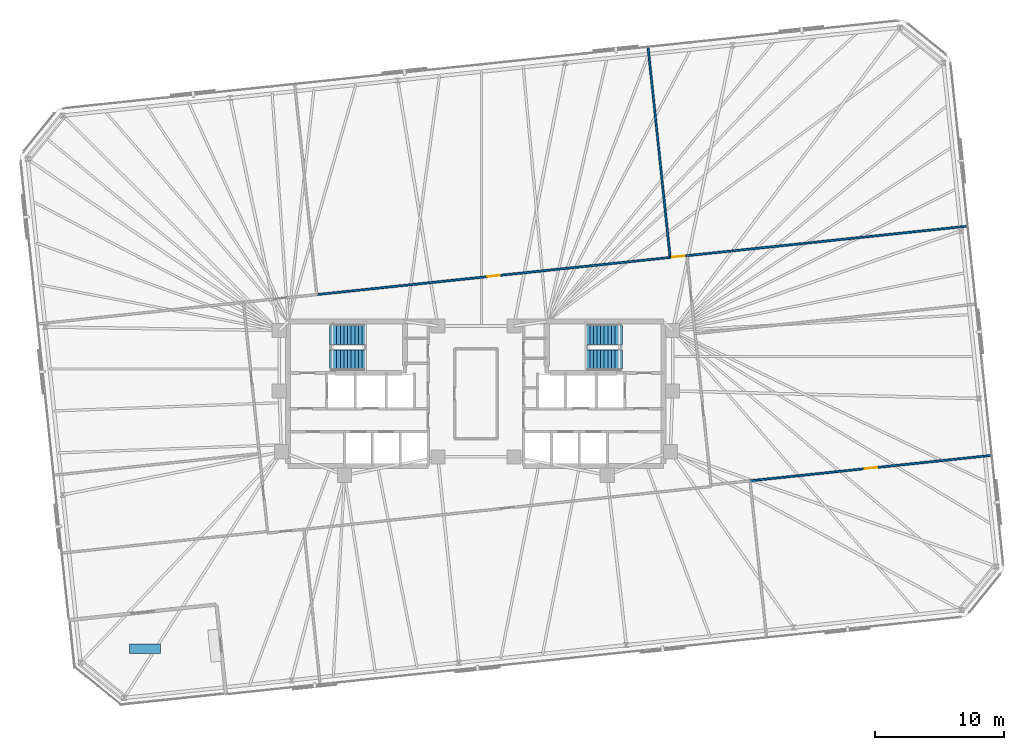
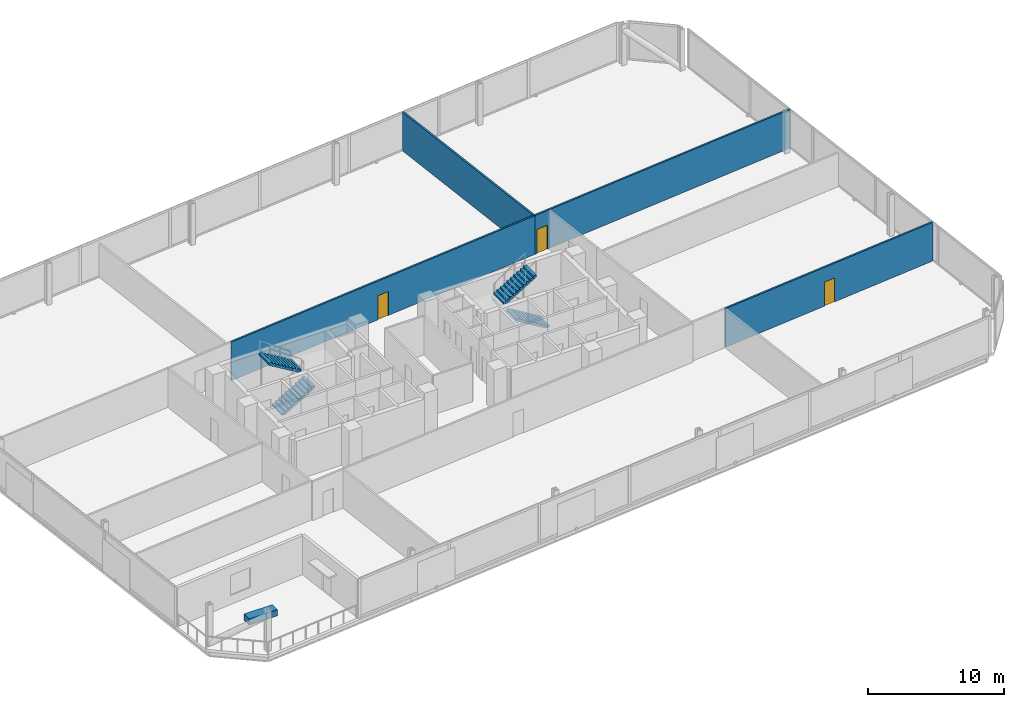
# One storey, part 16 of 18: 5 walls, 4 stair flights, 3 doors, 1 discrete accessory, 3 openings, 2 elements without a shape of their own.
"""IFC4 building model written with IfcOpenShell, lengths in metres."""

from ifc_helpers import new_model, si_unit, direction, frame, frame_2d, origin, origin_2d, place, context, subcontext, project, spatial, polyline, rectangle, outline, extrude, material, layer, layer_set, type_object, element, fill, aggregate, save


model = new_model("IFC4")

# Units and contexts
model_context = context("Model", 3, precision=1e-05, world=origin(), true_north=direction((0.0, 1.0)))
body_context = subcontext(model_context, "Body", "Model", "MODEL_VIEW")
ifc_project = project(units=[si_unit("LENGTHUNIT", "METRE"), si_unit("AREAUNIT", "SQUARE_METRE"), si_unit("VOLUMEUNIT", "CUBIC_METRE"), si_unit("PLANEANGLEUNIT", "RADIAN"), si_unit("MASSUNIT", "GRAM", prefix="KILO")], contexts=[model_context])

# Site, building, storey
site_placement = place(None, origin())
site = spatial("IfcSite", under=ifc_project, at=site_placement, CompositionType="ELEMENT")
building_placement = place(site_placement, origin())
building = spatial("IfcBuilding", under=site, at=building_placement, Name="Menara Jurai Vektor", CompositionType="ELEMENT")
storey_placement = place(building_placement, frame((0.0, 0.0, 113.300048828125)))
storey = spatial("IfcBuildingStorey", under=building, at=storey_placement, Name="L28", CompositionType="ELEMENT", Elevation=113.300048828125)

# Wall, opening, door
ifc_material_1 = material(Name="Gypsum Fireboard Partition", Category="gypsum")
ifc_layer = layer(ifc_material_1, 0.14990234375)
ifc_layer_set = layer_set([ifc_layer], Name="Gypsum Fireboard Partition")
wall_type = type_object("IfcWallType", Name="INT-WALL-CORR-150", PredefinedType="PARTITIONING", material=ifc_layer_set)
wall_1_placement = place(storey_placement, frame((-12.335693359375, 7.68798828125, 0.0), z_axis=(0.0, 0.0, 1.0), x_axis=(0.994522386381, 0.104523791488, 0.0)))
wall_1 = element("IfcWall", 1, at=wall_1_placement, inside=storey, type_object=wall_type, Name="Interior Wall IW-150 L28", PredefinedType="PARTITIONING", context=body_context, shape_type="SweptSolid", body=[
    extrude(rectangle(XDim=27.550048828125, YDim=0.14990234375, at=frame_2d((13.77490234375, 0.0))), origin(), (0.0, 0.0, 1.0), 3.474853515625),
])
opening_1_placement = place(wall_1_placement, frame((13.300048828125, 0.0, 0.0)))
opening_1 = element("IfcOpeningElement", 2, at=opening_1_placement, cuts=wall_1, Name="Opening D28-10", PredefinedType="OPENING", context=body_context, shape_type="SweptSolid", body=[
    extrude(rectangle(XDim=0.949951171875, YDim=2.14990234375, at=frame_2d((0.47509765625, 1.074951171875))), frame((0.0, 0.0849609375, 0.0), z_axis=(0.0, -1.0, 0.0), x_axis=(1.0, 0.0, 0.0)), (0.0, 0.0, 1.0), 0.169921875),
])
ifc_material_2 = material(Name="Solid Core Timber Fire Door", Category="wood")
door_type = type_object("IfcDoorType", Name="DR-ENTRY-950", OperationType="NOTDEFINED", PredefinedType="DOOR", material=ifc_material_2)
door_1_placement = place(opening_1_placement, origin())
door_1 = element("IfcDoor", 3, at=door_1_placement, inside=storey, type_object=door_type, Name="Interior Door D28-10", OperationType="SINGLE_SWING_LEFT", OverallHeight=2.14990234375, OverallWidth=0.949951171875, PredefinedType="DOOR", context=body_context, shape_type="SweptSolid", body=[
    extrude(rectangle(XDim=0.949951171875, YDim=2.14990234375, at=frame_2d((0.47509765625, 1.074951171875))), frame((0.0, 0.02490234375, 0.0), z_axis=(0.0, -1.0, 0.0), x_axis=(1.0, 0.0, 0.0)), (0.0, 0.0, 1.0), 0.050048828125),
])
fill(opening_1, door_1)

wall_2_placement = place(storey_placement, frame((15.0634765625, 10.567626953125, 0.0), z_axis=(0.0, 0.0, 1.0), x_axis=(0.994533054704, 0.104422234707, 0.0)))
wall_2 = element("IfcWall", 4, at=wall_2_placement, inside=storey, type_object=wall_type, Name="Interior Wall IW-150 L28", PredefinedType="PARTITIONING", context=body_context, shape_type="SweptSolid", body=[
    extrude(rectangle(XDim=1.306884765625, YDim=0.14990234375, at=frame_2d((0.6533203125, 0.0))), origin(), (0.0, 0.0, 1.0), 3.474853515625),
])
opening_2_placement = place(wall_2_placement, frame((0.178466796875, 0.0, 0.0)))
opening_2 = element("IfcOpeningElement", 5, at=opening_2_placement, cuts=wall_2, Name="Opening D28-11", PredefinedType="OPENING", context=body_context, shape_type="SweptSolid", body=[
    extrude(rectangle(XDim=0.949951171875, YDim=2.14990234375, at=frame_2d((0.47509765625, 1.074951171875))), frame((0.0, 0.0849609375, 0.0), z_axis=(0.0, -1.0, 0.0), x_axis=(1.0, 0.0, 0.0)), (0.0, 0.0, 1.0), 0.169921875),
])
door_2_placement = place(opening_2_placement, origin())
door_2 = element("IfcDoor", 6, at=door_2_placement, inside=storey, type_object=door_type, Name="Interior Door D28-11", OperationType="SINGLE_SWING_RIGHT", OverallHeight=2.14990234375, OverallWidth=0.949951171875, PredefinedType="DOOR", context=body_context, shape_type="SweptSolid", body=[
    extrude(rectangle(XDim=0.949951171875, YDim=2.14990234375, at=frame_2d((0.47509765625, 1.074951171875))), frame((0.0, 0.02490234375, 0.0), z_axis=(0.0, -1.0, 0.0), x_axis=(1.0, 0.0, 0.0)), (0.0, 0.0, 1.0), 0.050048828125),
])
fill(opening_2, door_2)

# Walls
wall_3_placement = place(storey_placement, frame((15.0634765625, 10.567626953125, 0.0), z_axis=(0.0, 0.0, 1.0), x_axis=(-0.104536080245, 0.994521094762, 0.0)))
element("IfcWall", 7, at=wall_3_placement, inside=storey, type_object=wall_type, Name="Interior Wall IW-150 L28", PredefinedType="PARTITIONING", context=body_context, shape_type="SweptSolid", body=[
    extrude(rectangle(XDim=16.408935546875, YDim=0.14990234375, at=frame_2d((8.20458984375, 0.0))), origin(), (0.0, 0.0, 1.0), 3.474853515625),
])
wall_4_placement = place(storey_placement, frame((16.36328125, 10.7041015625, 0.0), z_axis=(0.0, 0.0, 1.0), x_axis=(0.994521206634, 0.104535015934, 0.0)))
element("IfcWall", 8, at=wall_4_placement, inside=storey, type_object=wall_type, Name="Interior Wall IW-150 L28", PredefinedType="PARTITIONING", context=body_context, shape_type="SweptSolid", body=[
    extrude(rectangle(XDim=21.892822265625, YDim=0.14990234375, at=frame_2d((10.9462890625, 0.0))), origin(), (0.0, 0.0, 1.0), 3.474853515625),
])

# Wall, opening, door
wall_5_placement = place(storey_placement, frame((21.257568359375, -6.749755859375, 0.0), z_axis=(0.0, 0.0, 1.0), x_axis=(0.994521409189, 0.104533088851, 0.0)))
wall_5 = element("IfcWall", 9, at=wall_5_placement, inside=storey, type_object=wall_type, Name="Interior Wall IW-150 L28", PredefinedType="PARTITIONING", context=body_context, shape_type="SweptSolid", body=[
    extrude(rectangle(XDim=18.85009765625, YDim=0.14990234375, at=frame_2d((9.425048828125, 0.0))), origin(), (0.0, 0.0, 1.0), 3.474853515625),
])
opening_3_placement = place(wall_5_placement, frame((8.949951171875, 0.0, 0.0)))
opening_3 = element("IfcOpeningElement", 10, at=opening_3_placement, cuts=wall_5, Name="Opening D28-18", PredefinedType="OPENING", context=body_context, shape_type="SweptSolid", body=[
    extrude(rectangle(XDim=0.949951171875, YDim=2.14990234375, at=frame_2d((0.47509765625, 1.074951171875))), frame((0.0, 0.0849609375, 0.0), z_axis=(0.0, -1.0, 0.0), x_axis=(1.0, 0.0, 0.0)), (0.0, 0.0, 1.0), 0.169921875),
])
door_3_placement = place(opening_3_placement, origin())
door_3 = element("IfcDoor", 11, at=door_3_placement, inside=storey, type_object=door_type, Name="Interior Door D28-18", OperationType="SINGLE_SWING_LEFT", OverallHeight=2.14990234375, OverallWidth=0.949951171875, PredefinedType="DOOR", context=body_context, shape_type="SweptSolid", body=[
    extrude(rectangle(XDim=0.949951171875, YDim=2.14990234375, at=frame_2d((0.47509765625, 1.074951171875))), frame((0.0, 0.02490234375, 0.0), z_axis=(0.0, -1.0, 0.0), x_axis=(1.0, 0.0, 0.0)), (0.0, 0.0, 1.0), 0.050048828125),
])
fill(opening_3, door_3)

# Stair, stair flights
ifc_material_3 = material(Name="Concrete C40/50", Category="concrete")
stair_type = type_object("IfcStairType", Name="STAIR-DOGLEG-1500", PredefinedType="HALF_TURN_STAIR", material=ifc_material_3)
stair_1_placement = place(storey_placement, origin())
stair_1 = element("IfcStair", 12, at=stair_1_placement, inside=storey, type_object=stair_type, Name="Protected Exit Stair ST1 L28", PredefinedType="HALF_TURN_STAIR")
stair_flight_type = type_object("IfcStairFlightType", Name="STAIR-FLIGHT-1500", PredefinedType="STRAIGHT", material=ifc_material_3)
stair_flight_1_placement = place(storey_placement, frame((-11.35009765625, 2.64990234375, 0.0), z_axis=(0.0, 0.0, 1.0), x_axis=(1.0, 0.0, 0.0)))
stair_flight_1 = element("IfcStairFlight", 13, at=stair_flight_1_placement, type_object=stair_flight_type, Name="ST1 flight 1", NumberOfRisers=11, NumberOfTreads=10, PredefinedType="STRAIGHT", RiserHeight=0.168182, TreadLength=0.28, context=body_context, shape_type="SweptSolid", body=[
    extrude(outline(polyline([(0.0, 0.0), (0.0, 0.168212890625), (0.280029296875, 0.168212890625), (0.280029296875, 0.33642578125), (0.56005859375, 0.33642578125), (0.56005859375, 0.504638671875), (0.840087890625, 0.504638671875), (0.840087890625, 0.672607421875), (1.1201171875, 0.672607421875), (1.1201171875, 0.8408203125), (1.39990234375, 0.8408203125), (1.39990234375, 1.009033203125), (1.679931640625, 1.009033203125), (1.679931640625, 1.17724609375), (1.9599609375, 1.17724609375), (1.9599609375, 1.345458984375), (2.239990234375, 1.345458984375), (2.239990234375, 1.513671875), (2.52001953125, 1.513671875), (2.52001953125, 1.681884765625), (2.800048828125, 1.681884765625), (2.800048828125, 1.85009765625), (2.800048828125, 1.495361328125), (0.310546875, 0.0), (0.0, 0.0)])), frame((0.0, 0.75, 0.0), z_axis=(0.0, -1.0, 0.0), x_axis=(1.0, 0.0, 0.0)), (0.0, 0.0, 1.0), 1.5),
])
stair_flight_2_placement = place(storey_placement, frame((-8.550048828125, 4.550048828125, 1.849853515625), z_axis=(0.0, 0.0, 1.0), x_axis=(-1.0, 0.0, 0.0)))
stair_flight_2 = element("IfcStairFlight", 14, at=stair_flight_2_placement, type_object=stair_flight_type, Name="ST1 flight 2", NumberOfRisers=11, NumberOfTreads=10, PredefinedType="STRAIGHT", RiserHeight=0.168182, TreadLength=0.28, context=body_context, shape_type="SweptSolid", body=[
    extrude(outline(polyline([(0.0, 0.0), (0.0, 0.168212890625), (0.280029296875, 0.168212890625), (0.280029296875, 0.33642578125), (0.56005859375, 0.33642578125), (0.56005859375, 0.504638671875), (0.840087890625, 0.504638671875), (0.840087890625, 0.672607421875), (1.1201171875, 0.672607421875), (1.1201171875, 0.8408203125), (1.39990234375, 0.8408203125), (1.39990234375, 1.009033203125), (1.679931640625, 1.009033203125), (1.679931640625, 1.17724609375), (1.9599609375, 1.17724609375), (1.9599609375, 1.345458984375), (2.239990234375, 1.345458984375), (2.239990234375, 1.513671875), (2.52001953125, 1.513671875), (2.52001953125, 1.681884765625), (2.800048828125, 1.681884765625), (2.800048828125, 1.85009765625), (2.800048828125, 1.495361328125), (0.310546875, 0.0), (0.0, 0.0)])), frame((0.0, 0.75, 0.0), z_axis=(0.0, -1.0, 0.0), x_axis=(1.0, 0.0, 0.0)), (0.0, 0.0, 1.0), 1.5),
])
aggregate(stair_1, [stair_flight_1, stair_flight_2])

stair_2_placement = place(storey_placement, origin())
stair_2 = element("IfcStair", 15, at=stair_2_placement, inside=storey, type_object=stair_type, Name="Protected Exit Stair ST2 L28", PredefinedType="HALF_TURN_STAIR")
stair_flight_3_placement = place(storey_placement, frame((11.35009765625, 2.64990234375, 0.0), z_axis=(0.0, 0.0, 1.0), x_axis=(-1.0, 0.0, 0.0)))
stair_flight_3 = element("IfcStairFlight", 16, at=stair_flight_3_placement, type_object=stair_flight_type, Name="ST2 flight 1", NumberOfRisers=11, NumberOfTreads=10, PredefinedType="STRAIGHT", RiserHeight=0.168182, TreadLength=0.28, context=body_context, shape_type="SweptSolid", body=[
    extrude(outline(polyline([(0.0, 0.0), (0.0, 0.168212890625), (0.280029296875, 0.168212890625), (0.280029296875, 0.33642578125), (0.56005859375, 0.33642578125), (0.56005859375, 0.504638671875), (0.840087890625, 0.504638671875), (0.840087890625, 0.672607421875), (1.1201171875, 0.672607421875), (1.1201171875, 0.8408203125), (1.39990234375, 0.8408203125), (1.39990234375, 1.009033203125), (1.679931640625, 1.009033203125), (1.679931640625, 1.17724609375), (1.9599609375, 1.17724609375), (1.9599609375, 1.345458984375), (2.239990234375, 1.345458984375), (2.239990234375, 1.513671875), (2.52001953125, 1.513671875), (2.52001953125, 1.681884765625), (2.800048828125, 1.681884765625), (2.800048828125, 1.85009765625), (2.800048828125, 1.495361328125), (0.310546875, 0.0), (0.0, 0.0)])), frame((0.0, 0.75, 0.0), z_axis=(0.0, -1.0, 0.0), x_axis=(1.0, 0.0, 0.0)), (0.0, 0.0, 1.0), 1.5),
])
stair_flight_4_placement = place(storey_placement, frame((8.550048828125, 4.550048828125, 1.849853515625), z_axis=(0.0, 0.0, 1.0), x_axis=(1.0, 0.0, 0.0)))
stair_flight_4 = element("IfcStairFlight", 17, at=stair_flight_4_placement, type_object=stair_flight_type, Name="ST2 flight 2", NumberOfRisers=11, NumberOfTreads=10, PredefinedType="STRAIGHT", RiserHeight=0.168182, TreadLength=0.28, context=body_context, shape_type="SweptSolid", body=[
    extrude(outline(polyline([(0.0, 0.0), (0.0, 0.168212890625), (0.280029296875, 0.168212890625), (0.280029296875, 0.33642578125), (0.56005859375, 0.33642578125), (0.56005859375, 0.504638671875), (0.840087890625, 0.504638671875), (0.840087890625, 0.672607421875), (1.1201171875, 0.672607421875), (1.1201171875, 0.8408203125), (1.39990234375, 0.8408203125), (1.39990234375, 1.009033203125), (1.679931640625, 1.009033203125), (1.679931640625, 1.17724609375), (1.9599609375, 1.17724609375), (1.9599609375, 1.345458984375), (2.239990234375, 1.345458984375), (2.239990234375, 1.513671875), (2.52001953125, 1.513671875), (2.52001953125, 1.681884765625), (2.800048828125, 1.681884765625), (2.800048828125, 1.85009765625), (2.800048828125, 1.495361328125), (0.310546875, 0.0), (0.0, 0.0)])), frame((0.0, 0.75, 0.0), z_axis=(0.0, -1.0, 0.0), x_axis=(1.0, 0.0, 0.0)), (0.0, 0.0, 1.0), 1.5),
])
aggregate(stair_2, [stair_flight_3, stair_flight_4])

# Discrete accessory
ifc_material_4 = material(Name="Concrete C40/50 precast", Category="concrete")
discrete_accessory_type = type_object("IfcDiscreteAccessoryType", Name="ENV-ACC-PLANTER", PredefinedType="USERDEFINED", material=ifc_material_4)
discrete_accessory_placement = place(storey_placement, frame((-25.663818359375, -19.766357421875, 0.0), z_axis=(0.0, 0.0, 1.0), x_axis=(1.0, 0.0, 0.0)))
element("IfcDiscreteAccessory", 18, at=discrete_accessory_placement, inside=storey, type_object=discrete_accessory_type, Name="Spiral Terrace Planter Box L28-CRN", ObjectType="PLANTER", PredefinedType="USERDEFINED", context=body_context, shape_type="SweptSolid", body=[
    extrude(rectangle(XDim=2.39990234375, YDim=0.75, at=origin_2d()), origin(), (0.0, 0.0, 1.0), 0.550048828125),
])

save(model, "model.ifc")
